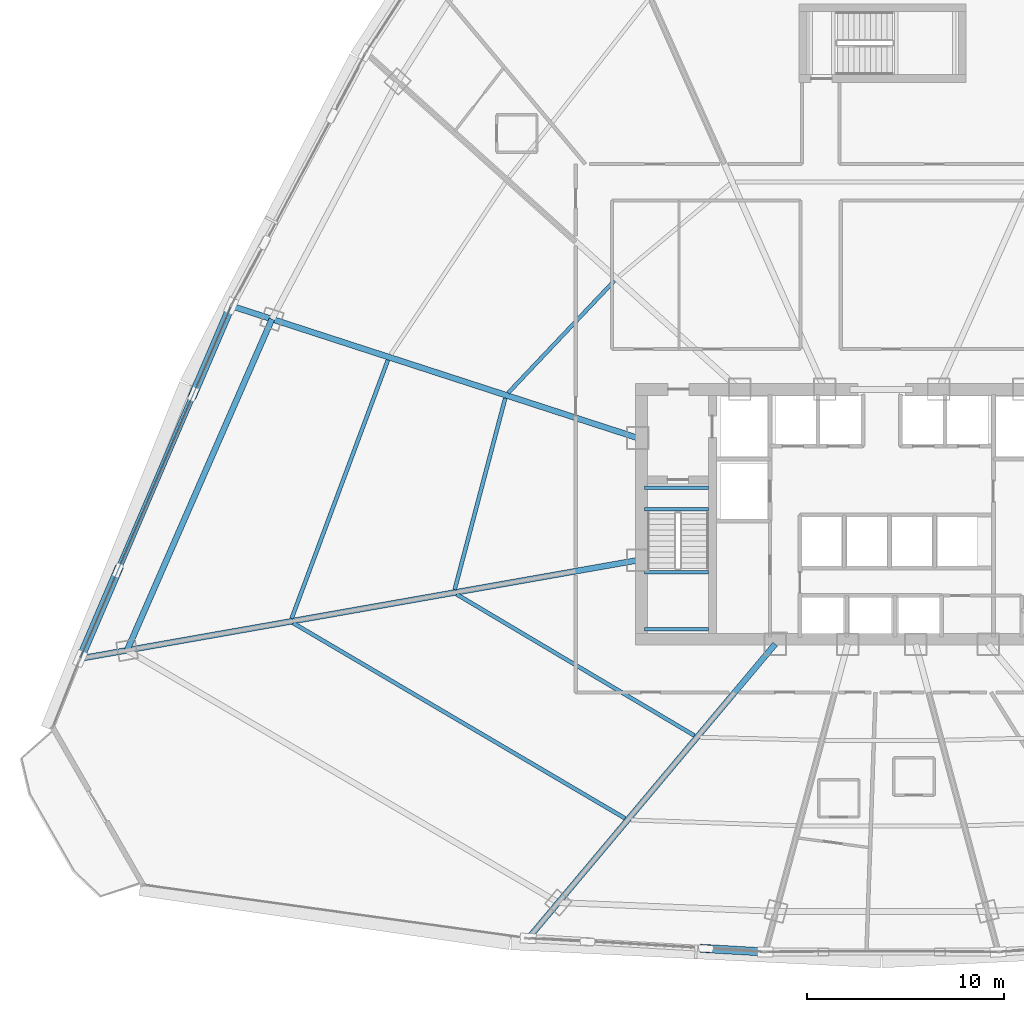
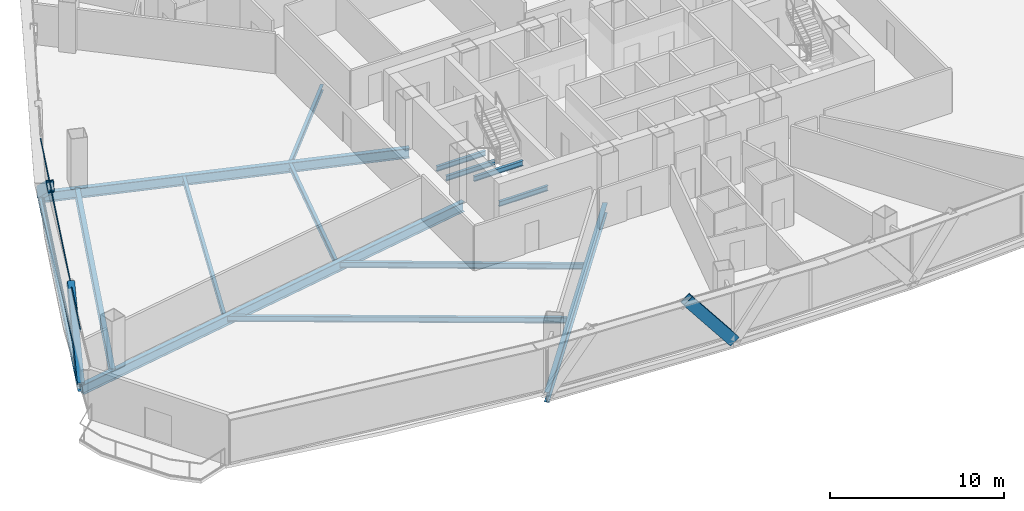
# One storey, part 7 of 38: 14 beams, 5 members, 1 element without a shape of its own.
"""IFC4 building model written with IfcOpenShell, lengths in metres."""

from ifc_helpers import new_model, si_unit, direction, frame, origin, origin_2d, place, context, subcontext, project, spatial, hollow_rectangle, i_section, extrude, source, transform, mapped, material, layer, layer_set, material_profile, profile_set, type_object, element, aggregate, save


model = new_model("IFC4")

# Units and contexts
model_context = context("Model", 3, precision=1e-05, world=origin(), true_north=direction((0.0, 1.0)))
body_context = subcontext(model_context, "Body", "Model", "MODEL_VIEW")
ifc_project = project(units=[si_unit("LENGTHUNIT", "METRE"), si_unit("AREAUNIT", "SQUARE_METRE"), si_unit("VOLUMEUNIT", "CUBIC_METRE"), si_unit("PLANEANGLEUNIT", "RADIAN"), si_unit("MASSUNIT", "GRAM", prefix="KILO"), si_unit("THERMODYNAMICTEMPERATUREUNIT", "KELVIN"), si_unit("POWERUNIT", "WATT")], contexts=[model_context])

# Site, building, storey
site_placement = place(None, origin())
site = spatial("IfcSite", under=ifc_project, at=site_placement, CompositionType="ELEMENT")
building_placement = place(site_placement, origin())
building = spatial("IfcBuilding", under=site, at=building_placement, Name="Yunzhuo Pagoda Commons", CompositionType="ELEMENT")
storey_placement = place(building_placement, frame((0.0, 0.0, 81.179931640625)))
storey = spatial("IfcBuildingStorey", under=building, at=storey_placement, Name="L20", CompositionType="ELEMENT", Elevation=81.179931640625)

# Beams
ifc_material_1 = material(Name="Structural steel Q355B", Category="steel")
ifc_material_profile_1 = material_profile(ifc_material_1, i_section(OverallWidth=0.175048828125, OverallDepth=0.35009765625, WebThickness=0.007080078125, FlangeThickness=0.010986328125, at=origin_2d()), Name="Structural steel Q355B")
ifc_profile_set_1 = profile_set([ifc_material_profile_1], Name="Structural steel Q355B")
beam_type_1 = type_object("IfcBeamType", Name="B-JS2 Joist HN 350x175x7x11", PredefinedType="JOIST", material=ifc_profile_set_1)
shared_shape_1 = source(origin(), body_context, "Body", "SweptSolid", [
    extrude(i_section(OverallWidth=0.175048828125, OverallDepth=0.35009765625, WebThickness=0.007080078125, FlangeThickness=0.010986328125, at=origin_2d()), origin(), (0.0, 0.0, 1.0), 3.25),
])
for number, where, z_axis, x_axis, name in (
    (1, (35.949951171875, 28.0, 1.525146484375), (1.0, 0.0, 0.0), (0.0, 1.0, 0.0), "L20 ST1 landing support beam 26A"),
    (2, (35.949951171875, 30.89990234375, 1.525146484375), (1.0, 0.0, 0.0), (0.0, 1.0, 0.0), "L20 ST1 landing support beam 26B"),
    (3, (35.949951171875, 34.10009765625, -0.375), (1.0, 0.0, 0.0), (0.0, 1.0, 0.0), "L20 ST1 landing support beam 124A"),
    (4, (35.949951171875, 35.199951171875, -0.375), (1.0, 0.0, 0.0), (0.0, 1.0, 0.0), "L20 ST1 landing support beam 124B"),
):
    element("IfcBeam", number, at=place(storey_placement, frame(where, z_axis=z_axis, x_axis=x_axis)), inside=storey, type_object=beam_type_1, Name=name, PredefinedType="JOIST", context=body_context, shape_type="MappedRepresentation", body=[
        mapped(shared_shape_1, transform((0.0, 0.0, 0.0), scale=1.0)),
    ])
ifc_material_profile_2 = material_profile(ifc_material_1, i_section(OverallWidth=0.300048828125, OverallDepth=0.488037109375, WebThickness=0.010986328125, FlangeThickness=0.01806640625, at=origin_2d()), Name="Structural steel Q355B")
ifc_profile_set_2 = profile_set([ifc_material_profile_2], Name="Structural steel Q355B")
beam_type_2 = type_object("IfcBeamType", Name="B-SP1 Beam HM 488x300x11x18", PredefinedType="BEAM", material=ifc_profile_set_2)
shared_shape_2 = source(origin(), body_context, "Body", "SweptSolid", [
    extrude(i_section(OverallWidth=0.300048828125, OverallDepth=0.488037109375, WebThickness=0.010986328125, FlangeThickness=0.01806640625, at=origin_2d()), origin(), (0.0, 0.0, 1.0), 19.5029296875),
])
beam_1_placement = place(storey_placement, frame((14.93505859375, 44.44384765625, -0.50390625), z_axis=(-0.393683598901, -0.919246008398, 0.0), x_axis=(0.919246008398, -0.393683598901, 0.0)))
element("IfcBeam", 5, at=beam_1_placement, inside=storey, type_object=beam_type_2, Name="L20 facade edge spandrel beam F3.3", PredefinedType="BEAM", context=body_context, shape_type="MappedRepresentation", body=[
    mapped(shared_shape_2, transform((0.0, 0.0, 0.0), scale=1.0)),
])
ifc_material_profile_3 = material_profile(ifc_material_1, i_section(OverallWidth=0.300048828125, OverallDepth=0.699951171875, WebThickness=0.012939453125, FlangeThickness=0.02392578125, at=origin_2d()), Name="Structural steel Q355B")
ifc_profile_set_3 = profile_set([ifc_material_profile_3], Name="Structural steel Q355B")
beam_type_3 = type_object("IfcBeamType", Name="B-RG1 Beam HN 700x300x13x24", PredefinedType="BEAM", material=ifc_profile_set_3)
shared_shape_3 = source(origin(), body_context, "Body", "SweptSolid", [
    extrude(i_section(OverallWidth=0.300048828125, OverallDepth=0.699951171875, WebThickness=0.012939453125, FlangeThickness=0.02392578125, at=origin_2d()), origin(), (0.0, 0.0, 1.0), 18.37158203125),
])
beam_2_placement = place(storey_placement, frame((17.00927734375, 43.76953125, -0.60986328125), z_axis=(-0.400729599795, -0.916196369698, 0.0), x_axis=(0.916196369698, -0.400729599795, 0.0)))
element("IfcBeam", 6, at=beam_2_placement, inside=storey, type_object=beam_type_3, Name="L20 column-ring beam 11", PredefinedType="BEAM", context=body_context, shape_type="MappedRepresentation", body=[
    mapped(shared_shape_3, transform((0.0, 0.0, 0.0), scale=1.0)),
])
shared_shape_4 = source(origin(), body_context, "Body", "SweptSolid", [
    extrude(i_section(OverallWidth=0.300048828125, OverallDepth=0.699951171875, WebThickness=0.012939453125, FlangeThickness=0.02392578125, at=origin_2d()), origin(), (0.0, 0.0, 1.0), 19.369140625),
])
beam_3_placement = place(storey_placement, frame((30.137451171875, 12.41259765625, -0.60986328125), z_axis=(0.642799141194, 0.766034766887, 0.0), x_axis=(-0.766034766887, 0.642799141194, 0.0)))
element("IfcBeam", 7, at=beam_3_placement, inside=storey, type_object=beam_type_3, Name="L20 radial floor girder F1C1", PredefinedType="BEAM", context=body_context, shape_type="MappedRepresentation", body=[
    mapped(shared_shape_4, transform((0.0, 0.0, 0.0), scale=1.0)),
])
shared_shape_5 = source(origin(), body_context, "Body", "SweptSolid", [
    extrude(i_section(OverallWidth=0.300048828125, OverallDepth=0.699951171875, WebThickness=0.012939453125, FlangeThickness=0.02392578125, at=origin_2d()), origin(), (0.0, 0.0, 1.0), 28.625),
])
beam_4_placement = place(storey_placement, frame((7.409912109375, 26.54296875, -0.60986328125), z_axis=(0.984809134913, 0.173640340337, 0.0), x_axis=(-0.173640340337, 0.984809134913, 0.0)))
element("IfcBeam", 8, at=beam_4_placement, inside=storey, type_object=beam_type_3, Name="L20 radial floor girder F3C4", PredefinedType="BEAM", context=body_context, shape_type="MappedRepresentation", body=[
    mapped(shared_shape_5, transform((0.0, 0.0, 0.0), scale=1.0)),
])
shared_shape_6 = source(origin(), body_context, "Body", "SweptSolid", [
    extrude(i_section(OverallWidth=0.300048828125, OverallDepth=0.699951171875, WebThickness=0.012939453125, FlangeThickness=0.02392578125, at=origin_2d()), origin(), (0.0, 0.0, 1.0), 21.57373046875),
])
beam_5_placement = place(storey_placement, frame((15.082275390625, 44.3955078125, -0.60986328125), z_axis=(0.951058432611, -0.309011096499, 0.0), x_axis=(0.309011096499, 0.951058432611, 0.0)))
element("IfcBeam", 9, at=beam_5_placement, inside=storey, type_object=beam_type_3, Name="L20 radial floor girder F3C3", PredefinedType="BEAM", context=body_context, shape_type="MappedRepresentation", body=[
    mapped(shared_shape_6, transform((0.0, 0.0, 0.0), scale=1.0)),
])
ifc_material_profile_4 = material_profile(ifc_material_1, i_section(OverallWidth=0.199951171875, OverallDepth=0.39990234375, WebThickness=0.008056640625, FlangeThickness=0.012939453125, at=origin_2d()), Name="Structural steel Q355B")
ifc_profile_set_4 = profile_set([ifc_material_profile_4], Name="Structural steel Q355B")
beam_type_4 = type_object("IfcBeamType", Name="B-JS1 Joist HN 400x200x8x13", PredefinedType="JOIST", material=ifc_profile_set_4)
shared_shape_7 = source(origin(), body_context, "Body", "SweptSolid", [
    extrude(i_section(OverallWidth=0.199951171875, OverallDepth=0.39990234375, WebThickness=0.008056640625, FlangeThickness=0.012939453125, at=origin_2d()), origin(), (0.0, 0.0, 1.0), 14.061767578125),
])
beam_6_placement = place(storey_placement, frame((26.393798828125, 29.784912109375, -0.4599609375), z_axis=(0.859683443923, -0.510827149088, 0.0), x_axis=(0.510827149088, 0.859683443923, 0.0)))
element("IfcBeam", 10, at=beam_6_placement, inside=storey, type_object=beam_type_4, Name="L20 composite ring joist 1.12", PredefinedType="JOIST", context=body_context, shape_type="MappedRepresentation", body=[
    mapped(shared_shape_7, transform((0.0, 0.0, 0.0), scale=1.0)),
])
shared_shape_8 = source(origin(), body_context, "Body", "SweptSolid", [
    extrude(i_section(OverallWidth=0.199951171875, OverallDepth=0.39990234375, WebThickness=0.008056640625, FlangeThickness=0.012939453125, at=origin_2d()), origin(), (0.0, 0.0, 1.0), 19.568603515625),
])
beam_7_placement = place(storey_placement, frame((18.089111328125, 28.321044921875, -0.4599609375), z_axis=(0.861862685393, -0.50714170754, 0.0), x_axis=(0.50714170754, 0.861862685393, 0.0)))
element("IfcBeam", 11, at=beam_7_placement, inside=storey, type_object=beam_type_4, Name="L20 composite ring joist 2.12", PredefinedType="JOIST", context=body_context, shape_type="MappedRepresentation", body=[
    mapped(shared_shape_8, transform((0.0, 0.0, 0.0), scale=1.0)),
])
shared_shape_9 = source(origin(), body_context, "Body", "SweptSolid", [
    extrude(i_section(OverallWidth=0.199951171875, OverallDepth=0.39990234375, WebThickness=0.008056640625, FlangeThickness=0.012939453125, at=origin_2d()), origin(), (0.0, 0.0, 1.0), 10.0634765625),
])
beam_8_placement = place(storey_placement, frame((28.86669921875, 39.749755859375, -0.4599609375), z_axis=(-0.255289713136, -0.966864603948, 0.0), x_axis=(0.966864603948, -0.255289713136, 0.0)))
element("IfcBeam", 12, at=beam_8_placement, inside=storey, type_object=beam_type_4, Name="L20 composite ring joist 1.11", PredefinedType="JOIST", context=body_context, shape_type="MappedRepresentation", body=[
    mapped(shared_shape_9, transform((0.0, 0.0, 0.0), scale=1.0)),
])
shared_shape_10 = source(origin(), body_context, "Body", "SweptSolid", [
    extrude(i_section(OverallWidth=0.199951171875, OverallDepth=0.39990234375, WebThickness=0.008056640625, FlangeThickness=0.012939453125, at=origin_2d()), origin(), (0.0, 0.0, 1.0), 7.85009765625),
])
beam_9_placement = place(storey_placement, frame((34.41357421875, 45.719482421875, -0.4599609375), z_axis=(-0.687513423145, -0.726171669095, 0.0), x_axis=(0.726171669095, -0.687513423145, 0.0)))
element("IfcBeam", 13, at=beam_9_placement, inside=storey, type_object=beam_type_4, Name="L20 composite ring joist 1.10", PredefinedType="JOIST", context=body_context, shape_type="MappedRepresentation", body=[
    mapped(shared_shape_10, transform((0.0, 0.0, 0.0), scale=1.0)),
])
shared_shape_11 = source(origin(), body_context, "Body", "SweptSolid", [
    extrude(i_section(OverallWidth=0.199951171875, OverallDepth=0.39990234375, WebThickness=0.008056640625, FlangeThickness=0.012939453125, at=origin_2d()), origin(), (0.0, 0.0, 1.0), 14.018798828125),
])
beam_10_placement = place(storey_placement, frame((22.902587890625, 41.6875, -0.4599609375), z_axis=(-0.349137809065, -0.937071390173, 0.0), x_axis=(0.937071390173, -0.349137809065, 0.0)))
element("IfcBeam", 14, at=beam_10_placement, inside=storey, type_object=beam_type_4, Name="L20 composite ring joist 2.11", PredefinedType="JOIST", context=body_context, shape_type="MappedRepresentation", body=[
    mapped(shared_shape_11, transform((0.0, 0.0, 0.0), scale=1.0)),
])

# Members
ifc_material_2 = material(Name="Structural steel Q420B", Category="steel")
ifc_material_profile_5 = material_profile(ifc_material_2, hollow_rectangle(XDim=0.419921875, YDim=0.719970703125, WallThickness=0.028076171875, at=origin_2d()), Name="Structural steel Q420B")
ifc_profile_set_5 = profile_set([ifc_material_profile_5], Name="Structural steel Q420B")
member_type_1 = type_object("IfcMemberType", Name="M-DL1 Brace BOX 720x420x28", PredefinedType="BRACE", material=ifc_profile_set_5)
shared_shape_12 = source(origin(), body_context, "Body", "SweptSolid", [
    extrude(hollow_rectangle(XDim=0.419921875, YDim=0.719970703125, WallThickness=0.028076171875, at=origin_2d()), origin(), (0.0, 0.0, 1.0), 4.85107421875),
])
member_1_placement = place(storey_placement, frame((42.07861328125, 11.60107421875, -0.260009765625), z_axis=(-0.62054611539, 0.035682659839, 0.783357687433), x_axis=(-0.057407197931, -0.99835084696, 0.0)))
element("IfcMember", 15, at=member_1_placement, inside=storey, type_object=member_type_1, Name="L20 facade diamond brace F1.1R", PredefinedType="BRACE", context=body_context, shape_type="MappedRepresentation", body=[
    mapped(shared_shape_12, transform((0.0, 0.0, 0.0), scale=1.0)),
])
shared_shape_13 = source(origin(), body_context, "Body", "SweptSolid", [
    extrude(hollow_rectangle(XDim=0.419921875, YDim=0.719970703125, WallThickness=0.028076171875, at=origin_2d()), origin(), (0.0, 0.0, 1.0), 6.181640625),
])
member_2_placement = place(storey_placement, frame((7.257080078125, 26.515869140625, -0.260009765625), z_axis=(0.310506974236, 0.725042868613, 0.614734298396), x_axis=(-0.919248598495, 0.393677551006, 0.0)))
element("IfcMember", 16, at=member_2_placement, inside=storey, type_object=member_type_1, Name="L20 facade diamond brace F3.3R", PredefinedType="BRACE", context=body_context, shape_type="MappedRepresentation", body=[
    mapped(shared_shape_13, transform((0.0, 0.0, 0.0), scale=1.0)),
])
shared_shape_14 = source(origin(), body_context, "Body", "SweptSolid", [
    extrude(hollow_rectangle(XDim=0.419921875, YDim=0.719970703125, WallThickness=0.028076171875, at=origin_2d()), origin(), (0.0, 0.0, 1.0), 6.181884765625),
])
member_3_placement = place(storey_placement, frame((14.93505859375, 44.44384765625, -0.260009765625), z_axis=(-0.310533768244, -0.72505270904, 0.614709157156), x_axis=(0.919238238382, -0.393701741293, 0.0)))
element("IfcMember", 17, at=member_3_placement, inside=storey, type_object=member_type_1, Name="L20 facade diamond brace F3.3L", PredefinedType="BRACE", context=body_context, shape_type="MappedRepresentation", body=[
    mapped(shared_shape_14, transform((0.0, 0.0, 0.0), scale=1.0)),
])

# Curtain wall, members
ifc_material_3 = material(Name="Anodized aluminium 6063-T6", Category="aluminium")
ifc_layer = layer(ifc_material_3, 0.1650390625)
ifc_layer_set = layer_set([ifc_layer], Name="Anodized aluminium 6063-T6")
curtain_wall_type = type_object("IfcCurtainWallType", Name="CW-LOW Low-Zone Ribbon Curtain Wall", PredefinedType="NOTDEFINED", material=ifc_layer_set)
curtain_wall_placement = place(storey_placement, origin())
curtain_wall = element("IfcCurtainWall", 18, at=curtain_wall_placement, inside=storey, type_object=curtain_wall_type, Name="L20 curtain wall CW-L20-F3B4", PredefinedType="NOTDEFINED")
ifc_material_profile_6 = material_profile(ifc_material_3, hollow_rectangle(XDim=0.06005859375, YDim=0.139892578125, WallThickness=0.00341796875, at=origin_2d()), Name="Anodized aluminium 6063-T6")
ifc_profile_set_6 = profile_set([ifc_material_profile_6], Name="Anodized aluminium 6063-T6")
member_type_2 = type_object("IfcMemberType", Name="CW-LOW-T Transom RHS 140x60x3.5", PredefinedType="USERDEFINED", material=ifc_profile_set_6)
shared_shape_15 = source(origin(), body_context, "Body", "SweptSolid", [
    extrude(hollow_rectangle(XDim=0.06005859375, YDim=0.139892578125, WallThickness=0.00341796875, at=origin_2d()), origin(), (0.0, 0.0, 1.0), 19.37255859375),
])
member_4_placement = place(storey_placement, frame((14.9091796875, 44.3837890625, 0.030029296875), z_axis=(-0.39367592675, -0.919249294097, 0.0), x_axis=(0.919249294097, -0.39367592675, 0.0)))
member_4 = element("IfcMember", 19, at=member_4_placement, type_object=member_type_2, Name="CW transom 1.1", ObjectType="TRANSOM", PredefinedType="USERDEFINED", context=body_context, shape_type="MappedRepresentation", body=[
    mapped(shared_shape_15, transform((0.0, 0.0, 0.0), scale=1.0)),
])
member_5_placement = place(storey_placement, frame((14.9091796875, 44.3837890625, 3.510009765625), z_axis=(-0.39367592675, -0.919249294097, 0.0), x_axis=(0.919249294097, -0.39367592675, 0.0)))
member_5 = element("IfcMember", 20, at=member_5_placement, type_object=member_type_2, Name="CW transom 1.2", ObjectType="TRANSOM", PredefinedType="USERDEFINED", context=body_context, shape_type="MappedRepresentation", body=[
    mapped(shared_shape_15, transform((0.0, 0.0, 0.0), scale=1.0)),
])
aggregate(curtain_wall, [member_4, member_5])

save(model, "model.ifc")
